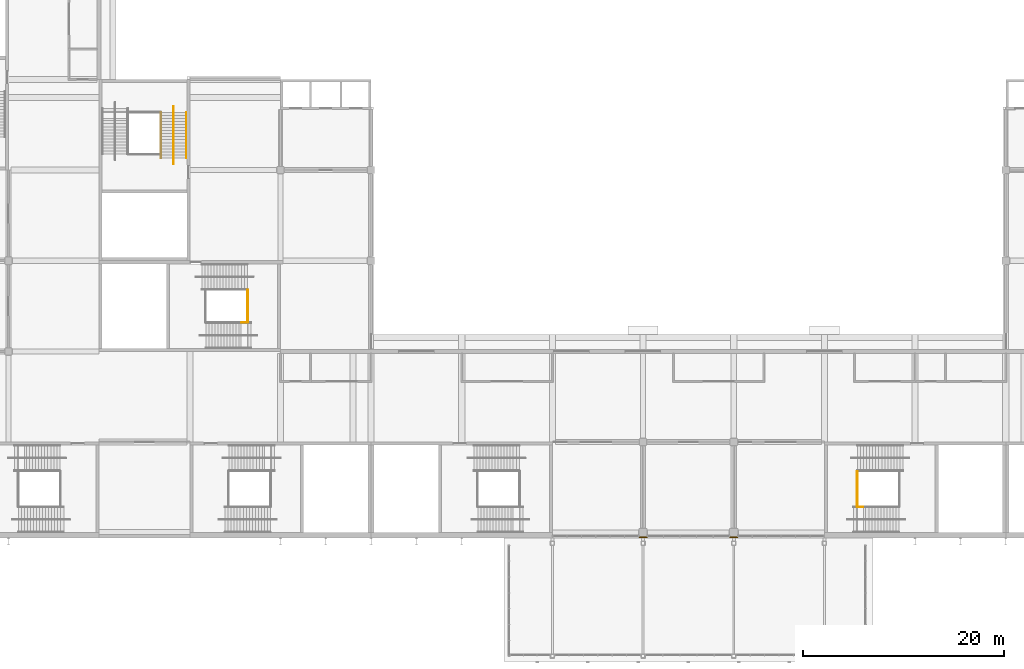
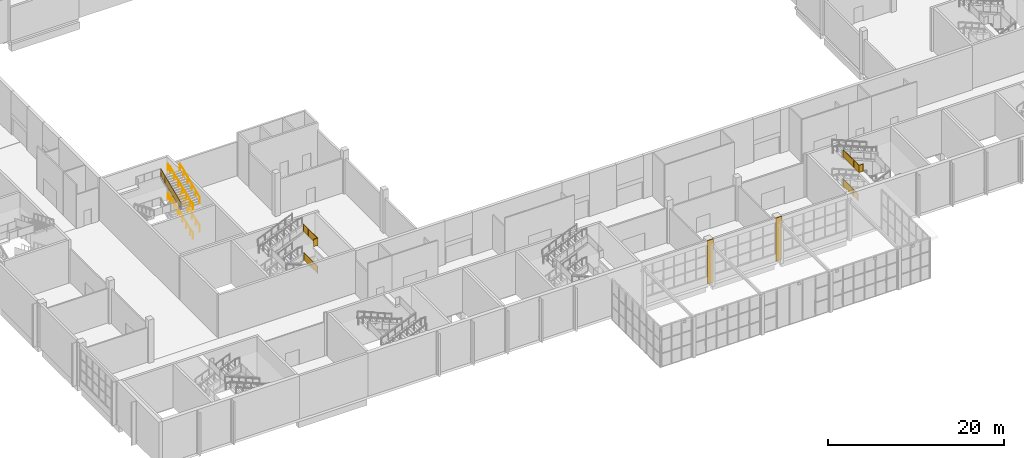
# One storey, part 72 of 89: 9 railings, 2 coverings.
"""IFC4 building model written with IfcOpenShell, lengths in metres."""

from ifc_helpers import new_model, si_unit, direction, frame, origin, origin_2d, place, context, subcontext, project, spatial, polyline, circle, outline, extrude, material, layer, layer_set, type_object, element, save


model = new_model("IFC4")

# Units and contexts
model_context = context("Model", 3, precision=1e-05, world=origin(), true_north=direction((0.0, 1.0)))
body_context = subcontext(model_context, "Body", "Model", "MODEL_VIEW")
ifc_project = project(units=[si_unit("LENGTHUNIT", "METRE"), si_unit("AREAUNIT", "SQUARE_METRE"), si_unit("VOLUMEUNIT", "CUBIC_METRE"), si_unit("PLANEANGLEUNIT", "RADIAN"), si_unit("MASSUNIT", "GRAM", prefix="KILO")], contexts=[model_context])

# Site, building, storey
site_placement = place(None, origin())
site = spatial("IfcSite", under=ifc_project, at=site_placement, CompositionType="ELEMENT")
building_placement = place(site_placement, origin())
building = spatial("IfcBuilding", under=site, at=building_placement, Name="Silverbay Arena", CompositionType="ELEMENT")
storey_placement = place(building_placement, frame((0.0, 0.0, 22.0)))
storey = spatial("IfcBuildingStorey", under=building, at=storey_placement, Name="L03", CompositionType="ELEMENT", Elevation=22.0)

# Coverings
ifc_material_1 = material(Name="Aluminium composite cladding", Category="aluminium")
ifc_layer = layer(ifc_material_1, 0.10009765625)
ifc_layer_set = layer_set([ifc_layer], Name="Aluminium composite cladding")
covering_type = type_object("IfcCoveringType", Name="Column cladding 100", PredefinedType="CLADDING", material=ifc_layer_set)
covering_1_placement = place(storey_placement, origin())
element("IfcCovering", 1, at=covering_1_placement, inside=storey, type_object=covering_type, Name="South column cladding L03 1", PredefinedType="CLADDING", context=body_context, shape_type="SweptSolid", body=[
    extrude(outline(polyline([(125.60009765625, 17.5), (126.39990234375, 17.5), (126.39990234375, 17.60009765625), (125.60009765625, 17.60009765625), (125.60009765625, 17.5)])), origin(), (0.0, 0.0, 1.0), 6.0),
])
covering_2_placement = place(storey_placement, origin())
element("IfcCovering", 2, at=covering_2_placement, inside=storey, type_object=covering_type, Name="South column cladding L03 3", PredefinedType="CLADDING", context=body_context, shape_type="SweptSolid", body=[
    extrude(outline(polyline([(134.60009765625, 17.5), (135.39990234375, 17.5), (135.39990234375, 17.60009765625), (134.60009765625, 17.60009765625), (134.60009765625, 17.5)])), origin(), (0.0, 0.0, 1.0), 6.0),
])

# Railings
ifc_material_2 = material(Name="Stainless steel", Category="steel")
railing_type_1 = type_object("IfcRailingType", Name="Stair guard 1100", PredefinedType="GUARDRAIL", material=ifc_material_2)
railing_1_placement = place(storey_placement, frame((147.239990234375, 24.10009765625, 2.0)))
element("IfcRailing", 3, at=railing_1_placement, inside=storey, type_object=railing_type_1, Name="Stair ST-S3 L03 to L04 landing 1 guard", PredefinedType="GUARDRAIL", context=body_context, shape_type="SweptSolid", body=[
    extrude(circle(Radius=0.02392578125, at=origin_2d()), frame((0.0, 0.0, 1.076171875), z_axis=(0.0, -1.0, 0.0), x_axis=(1.0, 0.0, 0.0)), (0.0, 0.0, 1.0), 3.5),
    extrude(outline(polyline([(-0.008056640625, 0.050048828125), (1.174560546875, 0.050048828125), (1.174560546875, 1.052978515625), (-0.008056640625, 1.052978515625), (-0.008056640625, 0.050048828125)])), frame((0.0029296875, 0.0, 0.0), z_axis=(-1.0, 0.0, 0.0), x_axis=(0.0, -1.0, 0.0)), (0.0, 0.0, 1.0), 0.006103515625),
    extrude(outline(polyline([(-0.008056640625, 0.050048828125), (1.174560546875, 0.050048828125), (1.174560546875, 1.052978515625), (-0.008056640625, 1.052978515625), (-0.008056640625, 0.050048828125)])), frame((0.0029296875, -1.166748046875, 0.0), z_axis=(-1.0, 0.0, 0.0), x_axis=(0.0, -1.0, 0.0)), (0.0, 0.0, 1.0), 0.006103515625),
    extrude(outline(polyline([(-0.008056640625, 0.050048828125), (1.174560546875, 0.050048828125), (1.174560546875, 1.052978515625), (-0.008056640625, 1.052978515625), (-0.008056640625, 0.050048828125)])), frame((0.0029296875, -2.333251953125, 0.0), z_axis=(-1.0, 0.0, 0.0), x_axis=(0.0, -1.0, 0.0)), (0.0, 0.0, 1.0), 0.006103515625),
    extrude(circle(Radius=0.02099609375, at=origin_2d()), origin(), (0.0, 0.0, 1.0), 1.052001953125),
    extrude(circle(Radius=0.02099609375, at=origin_2d()), frame((0.0, -1.166748046875, 0.0)), (0.0, 0.0, 1.0), 1.052001953125),
    extrude(circle(Radius=0.02099609375, at=origin_2d()), frame((0.0, -2.333251953125, 0.0)), (0.0, 0.0, 1.0), 1.052001953125),
    extrude(circle(Radius=0.02099609375, at=origin_2d()), frame((0.0, -3.5, 0.0)), (0.0, 0.0, 1.0), 1.052001953125),
])
railing_2_placement = place(storey_placement, frame((147.85009765625, 20.550048828125, 6.0)))
element("IfcRailing", 4, at=railing_2_placement, inside=storey, type_object=railing_type_1, Name="Stair ST-S3 L03 to L04 landing 3 guard", PredefinedType="GUARDRAIL", context=body_context, shape_type="SweptSolid", body=[
    extrude(circle(Radius=0.02392578125, at=origin_2d()), frame((0.0, 0.0, 1.076171875), z_axis=(-1.0, 0.0, 0.0), x_axis=(0.0, -1.0, 0.0)), (0.0, 0.0, 1.0), 0.56005859375),
    extrude(outline(polyline([(-0.008056640625, 0.050048828125), (0.568115234375, 0.050048828125), (0.568115234375, 1.052978515625), (-0.008056640625, 1.052978515625), (-0.008056640625, 0.050048828125)])), frame((0.0, -0.0029296875, 0.0), z_axis=(0.0, 1.0, 0.0), x_axis=(-1.0, 0.0, 0.0)), (0.0, 0.0, 1.0), 0.006103515625),
    extrude(circle(Radius=0.02392578125, at=origin_2d()), frame((-0.56005859375, 0.0, 1.076171875), z_axis=(0.0, 1.0, 0.0), x_axis=(-1.0, 0.0, 0.0)), (0.0, 0.0, 1.0), 3.550048828125),
    extrude(outline(polyline([(-0.008056640625, 0.050048828125), (1.19140625, 0.050048828125), (1.19140625, 1.052978515625), (-0.008056640625, 1.052978515625), (-0.008056640625, 0.050048828125)])), frame((-0.56298828125, 0.0, 0.0), z_axis=(1.0, 0.0, 0.0), x_axis=(0.0, 1.0, 0.0)), (0.0, 0.0, 1.0), 0.006103515625),
    extrude(outline(polyline([(-0.008056640625, 0.050048828125), (1.19140625, 0.050048828125), (1.19140625, 1.052978515625), (-0.008056640625, 1.052978515625), (-0.008056640625, 0.050048828125)])), frame((-0.56298828125, 1.183349609375, 0.0), z_axis=(1.0, 0.0, 0.0), x_axis=(0.0, 1.0, 0.0)), (0.0, 0.0, 1.0), 0.006103515625),
    extrude(outline(polyline([(-0.008056640625, 0.050048828125), (1.19140625, 0.050048828125), (1.19140625, 1.052978515625), (-0.008056640625, 1.052978515625), (-0.008056640625, 0.050048828125)])), frame((-0.56298828125, 2.36669921875, 0.0), z_axis=(1.0, 0.0, 0.0), x_axis=(0.0, 1.0, 0.0)), (0.0, 0.0, 1.0), 0.006103515625),
    extrude(circle(Radius=0.02099609375, at=origin_2d()), origin(), (0.0, 0.0, 1.0), 1.052001953125),
    extrude(circle(Radius=0.02099609375, at=origin_2d()), frame((-0.56005859375, 0.0, 0.0)), (0.0, 0.0, 1.0), 1.052001953125),
    extrude(circle(Radius=0.02099609375, at=origin_2d()), frame((-0.56005859375, 1.183349609375, 0.0)), (0.0, 0.0, 1.0), 1.052001953125),
    extrude(circle(Radius=0.02099609375, at=origin_2d()), frame((-0.56005859375, 2.36669921875, 0.0)), (0.0, 0.0, 1.0), 1.052001953125),
    extrude(circle(Radius=0.02099609375, at=origin_2d()), frame((-0.56005859375, 3.550048828125, 0.0)), (0.0, 0.0, 1.0), 1.052001953125),
])
railing_3_placement = place(storey_placement, frame((86.760009765625, 42.10009765625, 2.0)))
element("IfcRailing", 5, at=railing_3_placement, inside=storey, type_object=railing_type_1, Name="Stair ST-SW1 L03 to L04 landing 1 guard", PredefinedType="GUARDRAIL", context=body_context, shape_type="SweptSolid", body=[
    extrude(circle(Radius=0.02392578125, at=origin_2d()), frame((0.0, 0.0, 1.076171875), z_axis=(0.0, -1.0, 0.0), x_axis=(1.0, 0.0, 0.0)), (0.0, 0.0, 1.0), 3.2001953125),
    extrude(outline(polyline([(-0.008056640625, 0.050048828125), (1.07470703125, 0.050048828125), (1.07470703125, 1.052978515625), (-0.008056640625, 1.052978515625), (-0.008056640625, 0.050048828125)])), frame((0.0029296875, 0.0, 0.0), z_axis=(-1.0, 0.0, 0.0), x_axis=(0.0, -1.0, 0.0)), (0.0, 0.0, 1.0), 0.006103515625),
    extrude(outline(polyline([(-0.008056640625, 0.050048828125), (1.07470703125, 0.050048828125), (1.07470703125, 1.052978515625), (-0.008056640625, 1.052978515625), (-0.008056640625, 0.050048828125)])), frame((0.0029296875, -1.066650390625, 0.0), z_axis=(-1.0, 0.0, 0.0), x_axis=(0.0, -1.0, 0.0)), (0.0, 0.0, 1.0), 0.006103515625),
    extrude(outline(polyline([(-0.008056640625, 0.050048828125), (1.07470703125, 0.050048828125), (1.07470703125, 1.052978515625), (-0.008056640625, 1.052978515625), (-0.008056640625, 0.050048828125)])), frame((0.0029296875, -2.133544921875, 0.0), z_axis=(-1.0, 0.0, 0.0), x_axis=(0.0, -1.0, 0.0)), (0.0, 0.0, 1.0), 0.006103515625),
    extrude(circle(Radius=0.02099609375, at=origin_2d()), origin(), (0.0, 0.0, 1.0), 1.052001953125),
    extrude(circle(Radius=0.02099609375, at=origin_2d()), frame((0.0, -1.066650390625, 0.0)), (0.0, 0.0, 1.0), 1.052001953125),
    extrude(circle(Radius=0.02099609375, at=origin_2d()), frame((0.0, -2.133544921875, 0.0)), (0.0, 0.0, 1.0), 1.052001953125),
    extrude(circle(Radius=0.02099609375, at=origin_2d()), frame((0.0, -3.2001953125, 0.0)), (0.0, 0.0, 1.0), 1.052001953125),
])
railing_4_placement = place(storey_placement, frame((86.14990234375, 38.85009765625, 6.0)))
element("IfcRailing", 6, at=railing_4_placement, inside=storey, type_object=railing_type_1, Name="Stair ST-SW1 L03 to L04 landing 3 guard", PredefinedType="GUARDRAIL", context=body_context, shape_type="SweptSolid", body=[
    extrude(circle(Radius=0.02392578125, at=origin_2d()), frame((0.0, 0.0, 1.076171875), z_axis=(1.0, 0.0, 0.0), x_axis=(0.0, 1.0, 0.0)), (0.0, 0.0, 1.0), 0.56005859375),
    extrude(outline(polyline([(-0.008056640625, 0.050048828125), (0.568115234375, 0.050048828125), (0.568115234375, 1.052978515625), (-0.008056640625, 1.052978515625), (-0.008056640625, 0.050048828125)])), frame((0.0, 0.0029296875, 0.0), z_axis=(0.0, -1.0, 0.0), x_axis=(1.0, 0.0, 0.0)), (0.0, 0.0, 1.0), 0.006103515625),
    extrude(circle(Radius=0.02392578125, at=origin_2d()), frame((0.56005859375, 0.0, 1.076171875), z_axis=(0.0, 1.0, 0.0), x_axis=(-1.0, 0.0, 0.0)), (0.0, 0.0, 1.0), 3.25),
    extrude(outline(polyline([(-0.008056640625, 0.050048828125), (1.09130859375, 0.050048828125), (1.09130859375, 1.052978515625), (-0.008056640625, 1.052978515625), (-0.008056640625, 0.050048828125)])), frame((0.55712890625, 0.0, 0.0), z_axis=(1.0, 0.0, 0.0), x_axis=(0.0, 1.0, 0.0)), (0.0, 0.0, 1.0), 0.006103515625),
    extrude(outline(polyline([(-0.008056640625, 0.050048828125), (1.09130859375, 0.050048828125), (1.09130859375, 1.052978515625), (-0.008056640625, 1.052978515625), (-0.008056640625, 0.050048828125)])), frame((0.55712890625, 1.083251953125, 0.0), z_axis=(1.0, 0.0, 0.0), x_axis=(0.0, 1.0, 0.0)), (0.0, 0.0, 1.0), 0.006103515625),
    extrude(outline(polyline([(-0.008056640625, 0.050048828125), (1.09130859375, 0.050048828125), (1.09130859375, 1.052978515625), (-0.008056640625, 1.052978515625), (-0.008056640625, 0.050048828125)])), frame((0.55712890625, 2.166748046875, 0.0), z_axis=(1.0, 0.0, 0.0), x_axis=(0.0, 1.0, 0.0)), (0.0, 0.0, 1.0), 0.006103515625),
    extrude(circle(Radius=0.02099609375, at=origin_2d()), origin(), (0.0, 0.0, 1.0), 1.052001953125),
    extrude(circle(Radius=0.02099609375, at=origin_2d()), frame((0.56005859375, 0.0, 0.0)), (0.0, 0.0, 1.0), 1.052001953125),
    extrude(circle(Radius=0.02099609375, at=origin_2d()), frame((0.56005859375, 1.083251953125, 0.0)), (0.0, 0.0, 1.0), 1.052001953125),
    extrude(circle(Radius=0.02099609375, at=origin_2d()), frame((0.56005859375, 2.166748046875, 0.0)), (0.0, 0.0, 1.0), 1.052001953125),
    extrude(circle(Radius=0.02099609375, at=origin_2d()), frame((0.56005859375, 3.25, 0.0)), (0.0, 0.0, 1.0), 1.052001953125),
])
railing_5_placement = place(storey_placement, frame((78.125, 55.2099609375, 4.125)))
element("IfcRailing", 7, at=railing_5_placement, inside=storey, type_object=railing_type_1, Name="Stair ST-SW2 L03 to L04 flight 3 guard right", PredefinedType="GUARDRAIL", context=body_context, shape_type="SweptSolid", body=[
    extrude(circle(Radius=0.02392578125, at=origin_2d()), frame((0.0, 0.0, 1.076171875), z_axis=(0.0, 0.923076923077, 0.384615384615), x_axis=(-1.0, 0.0, 0.0)), (0.0, 0.0, 1.0), 4.875),
    extrude(outline(polyline([(-0.008056640625, 0.046630859375), (0.907958984375, 0.42822265625), (0.907958984375, 1.431396484375), (-0.008056640625, 1.049560546875), (-0.008056640625, 0.046630859375)])), frame((-0.0029296875, 0.0, 0.0), z_axis=(1.0, 0.0, 0.0), x_axis=(0.0, 1.0, 0.0)), (0.0, 0.0, 1.0), 0.006103515625),
    extrude(outline(polyline([(-0.008056640625, 0.421630859375), (0.907958984375, 0.80322265625), (0.907958984375, 1.806396484375), (-0.008056640625, 1.424560546875), (-0.008056640625, 0.421630859375)])), frame((-0.0029296875, 0.89990234375, 0.0), z_axis=(1.0, 0.0, 0.0), x_axis=(0.0, 1.0, 0.0)), (0.0, 0.0, 1.0), 0.006103515625),
    extrude(outline(polyline([(-0.008056640625, 0.796630859375), (0.907958984375, 1.17822265625), (0.907958984375, 2.181396484375), (-0.008056640625, 1.799560546875), (-0.008056640625, 0.796630859375)])), frame((-0.0029296875, 1.800048828125, 0.0), z_axis=(1.0, 0.0, 0.0), x_axis=(0.0, 1.0, 0.0)), (0.0, 0.0, 1.0), 0.006103515625),
    extrude(outline(polyline([(-0.008056640625, 1.171630859375), (0.907958984375, 1.55322265625), (0.907958984375, 2.556396484375), (-0.008056640625, 2.174560546875), (-0.008056640625, 1.171630859375)])), frame((-0.0029296875, 2.699951171875, 0.0), z_axis=(1.0, 0.0, 0.0), x_axis=(0.0, 1.0, 0.0)), (0.0, 0.0, 1.0), 0.006103515625),
    extrude(outline(polyline([(-0.008056640625, 1.546630859375), (0.907958984375, 1.92822265625), (0.907958984375, 2.931396484375), (-0.008056640625, 2.549560546875), (-0.008056640625, 1.546630859375)])), frame((-0.0029296875, 3.60009765625, 0.0), z_axis=(1.0, 0.0, 0.0), x_axis=(0.0, 1.0, 0.0)), (0.0, 0.0, 1.0), 0.006103515625),
    extrude(circle(Radius=0.02099609375, at=origin_2d()), origin(), (0.0, 0.0, 1.0), 1.052001953125),
    extrude(circle(Radius=0.02099609375, at=origin_2d()), frame((0.0, 0.89990234375, 0.375)), (0.0, 0.0, 1.0), 1.052001953125),
    extrude(circle(Radius=0.02099609375, at=origin_2d()), frame((0.0, 1.800048828125, 0.75)), (0.0, 0.0, 1.0), 1.052001953125),
    extrude(circle(Radius=0.02099609375, at=origin_2d()), frame((0.0, 2.699951171875, 1.125)), (0.0, 0.0, 1.0), 1.052001953125),
    extrude(circle(Radius=0.02099609375, at=origin_2d()), frame((0.0, 3.60009765625, 1.5)), (0.0, 0.0, 1.0), 1.052001953125),
    extrude(circle(Radius=0.02099609375, at=origin_2d()), frame((0.0, 4.5, 1.875)), (0.0, 0.0, 1.0), 1.052001953125),
])
ifc_material_3 = material(Name="Stainless steel", Category="steel")
railing_type_2 = type_object("IfcRailingType", Name="Stair handrail 900", PredefinedType="HANDRAIL", material=ifc_material_3)
railing_6_placement = place(storey_placement, frame((80.64990234375, 55.2099609375, 0.125)))
element("IfcRailing", 8, at=railing_6_placement, inside=storey, type_object=railing_type_2, Name="Stair ST-SW2 L03 to L04 flight 1 handrail left", PredefinedType="HANDRAIL", context=body_context, shape_type="SweptSolid", body=[
    extrude(circle(Radius=0.02392578125, at=origin_2d()), frame((0.0, 0.0, 0.8759765625), z_axis=(0.0, 0.923076923077, 0.384615384615), x_axis=(-1.0, 0.0, 0.0)), (0.0, 0.0, 1.0), 4.875),
    extrude(circle(Radius=0.02099609375, at=origin_2d()), origin(), (0.0, 0.0, 1.0), 0.851806640625),
    extrude(circle(Radius=0.02099609375, at=origin_2d()), frame((0.0, 0.89990234375, 0.375)), (0.0, 0.0, 1.0), 0.851806640625),
    extrude(circle(Radius=0.02099609375, at=origin_2d()), frame((0.0, 1.800048828125, 0.75)), (0.0, 0.0, 1.0), 0.851806640625),
    extrude(circle(Radius=0.02099609375, at=origin_2d()), frame((0.0, 2.699951171875, 1.125)), (0.0, 0.0, 1.0), 0.851806640625),
    extrude(circle(Radius=0.02099609375, at=origin_2d()), frame((0.0, 3.60009765625, 1.5)), (0.0, 0.0, 1.0), 0.851806640625),
    extrude(circle(Radius=0.02099609375, at=origin_2d()), frame((0.0, 4.5, 1.875)), (0.0, 0.0, 1.0), 0.851806640625),
])
railing_7_placement = place(storey_placement, frame((79.39990234375, 54.610107421875, 0.0)))
element("IfcRailing", 9, at=railing_7_placement, inside=storey, type_object=railing_type_2, Name="Stair ST-SW2 L03 to L04 flight 1 central handrail", PredefinedType="HANDRAIL", context=body_context, shape_type="SweptSolid", body=[
    extrude(circle(Radius=0.02392578125, at=origin_2d()), frame((0.0, 0.0, 0.8759765625), z_axis=(0.0, 0.978970474113, 0.20400198728), x_axis=(-1.0, 0.0, 0.0)), (0.0, 0.0, 1.0), 0.61279296875),
    extrude(circle(Radius=0.02392578125, at=origin_2d()), frame((0.0, 0.599853515625, 1.0009765625), z_axis=(0.0, 0.923076923077, 0.384615384615), x_axis=(-1.0, 0.0, 0.0)), (0.0, 0.0, 1.0), 4.875),
    extrude(circle(Radius=0.02392578125, at=origin_2d()), frame((0.0, 5.099853515625, 2.8759765625), z_axis=(0.0, 1.0, 0.0), x_axis=(-1.0, 0.0, 0.0)), (0.0, 0.0, 1.0), 0.60009765625),
    extrude(circle(Radius=0.02099609375, at=origin_2d()), origin(), (0.0, 0.0, 1.0), 0.851806640625),
    extrude(circle(Radius=0.02099609375, at=origin_2d()), frame((0.0, 0.599853515625, 0.125)), (0.0, 0.0, 1.0), 0.851806640625),
    extrude(circle(Radius=0.02099609375, at=origin_2d()), frame((0.0, 1.499755859375, 0.5)), (0.0, 0.0, 1.0), 0.851806640625),
    extrude(circle(Radius=0.02099609375, at=origin_2d()), frame((0.0, 2.39990234375, 0.875)), (0.0, 0.0, 1.0), 0.851806640625),
    extrude(circle(Radius=0.02099609375, at=origin_2d()), frame((0.0, 3.2998046875, 1.25)), (0.0, 0.0, 1.0), 0.851806640625),
    extrude(circle(Radius=0.02099609375, at=origin_2d()), frame((0.0, 4.199951171875, 1.625)), (0.0, 0.0, 1.0), 0.851806640625),
    extrude(circle(Radius=0.02099609375, at=origin_2d()), frame((0.0, 5.099853515625, 2.0)), (0.0, 0.0, 1.0), 0.851806640625),
    extrude(circle(Radius=0.02099609375, at=origin_2d()), frame((0.0, 5.699951171875, 2.0)), (0.0, 0.0, 1.0), 0.851806640625),
])
railing_8_placement = place(storey_placement, frame((80.64990234375, 55.2099609375, 4.125)))
element("IfcRailing", 10, at=railing_8_placement, inside=storey, type_object=railing_type_2, Name="Stair ST-SW2 L03 to L04 flight 3 handrail left", PredefinedType="HANDRAIL", context=body_context, shape_type="SweptSolid", body=[
    extrude(circle(Radius=0.02392578125, at=origin_2d()), frame((0.0, 0.0, 0.8759765625), z_axis=(0.0, 0.923076923077, 0.384615384615), x_axis=(-1.0, 0.0, 0.0)), (0.0, 0.0, 1.0), 4.875),
    extrude(circle(Radius=0.02099609375, at=origin_2d()), origin(), (0.0, 0.0, 1.0), 0.851806640625),
    extrude(circle(Radius=0.02099609375, at=origin_2d()), frame((0.0, 0.89990234375, 0.375)), (0.0, 0.0, 1.0), 0.851806640625),
    extrude(circle(Radius=0.02099609375, at=origin_2d()), frame((0.0, 1.800048828125, 0.75)), (0.0, 0.0, 1.0), 0.851806640625),
    extrude(circle(Radius=0.02099609375, at=origin_2d()), frame((0.0, 2.699951171875, 1.125)), (0.0, 0.0, 1.0), 0.851806640625),
    extrude(circle(Radius=0.02099609375, at=origin_2d()), frame((0.0, 3.60009765625, 1.5)), (0.0, 0.0, 1.0), 0.851806640625),
    extrude(circle(Radius=0.02099609375, at=origin_2d()), frame((0.0, 4.5, 1.875)), (0.0, 0.0, 1.0), 0.851806640625),
])
railing_9_placement = place(storey_placement, frame((79.39990234375, 54.610107421875, 4.0)))
element("IfcRailing", 11, at=railing_9_placement, inside=storey, type_object=railing_type_2, Name="Stair ST-SW2 L03 to L04 flight 3 central handrail", PredefinedType="HANDRAIL", context=body_context, shape_type="SweptSolid", body=[
    extrude(circle(Radius=0.02392578125, at=origin_2d()), frame((0.0, 0.0, 0.8759765625), z_axis=(0.0, 0.978970474113, 0.20400198728), x_axis=(-1.0, 0.0, 0.0)), (0.0, 0.0, 1.0), 0.61279296875),
    extrude(circle(Radius=0.02392578125, at=origin_2d()), frame((0.0, 0.599853515625, 1.0009765625), z_axis=(0.0, 0.923076923077, 0.384615384615), x_axis=(-1.0, 0.0, 0.0)), (0.0, 0.0, 1.0), 4.875),
    extrude(circle(Radius=0.02392578125, at=origin_2d()), frame((0.0, 5.099853515625, 2.8759765625), z_axis=(0.0, 1.0, 0.0), x_axis=(-1.0, 0.0, 0.0)), (0.0, 0.0, 1.0), 0.60009765625),
    extrude(circle(Radius=0.02099609375, at=origin_2d()), origin(), (0.0, 0.0, 1.0), 0.851806640625),
    extrude(circle(Radius=0.02099609375, at=origin_2d()), frame((0.0, 0.599853515625, 0.125)), (0.0, 0.0, 1.0), 0.851806640625),
    extrude(circle(Radius=0.02099609375, at=origin_2d()), frame((0.0, 1.499755859375, 0.5)), (0.0, 0.0, 1.0), 0.851806640625),
    extrude(circle(Radius=0.02099609375, at=origin_2d()), frame((0.0, 2.39990234375, 0.875)), (0.0, 0.0, 1.0), 0.851806640625),
    extrude(circle(Radius=0.02099609375, at=origin_2d()), frame((0.0, 3.2998046875, 1.25)), (0.0, 0.0, 1.0), 0.851806640625),
    extrude(circle(Radius=0.02099609375, at=origin_2d()), frame((0.0, 4.199951171875, 1.625)), (0.0, 0.0, 1.0), 0.851806640625),
    extrude(circle(Radius=0.02099609375, at=origin_2d()), frame((0.0, 5.099853515625, 2.0)), (0.0, 0.0, 1.0), 0.851806640625),
    extrude(circle(Radius=0.02099609375, at=origin_2d()), frame((0.0, 5.699951171875, 2.0)), (0.0, 0.0, 1.0), 0.851806640625),
])

save(model, "model.ifc")
